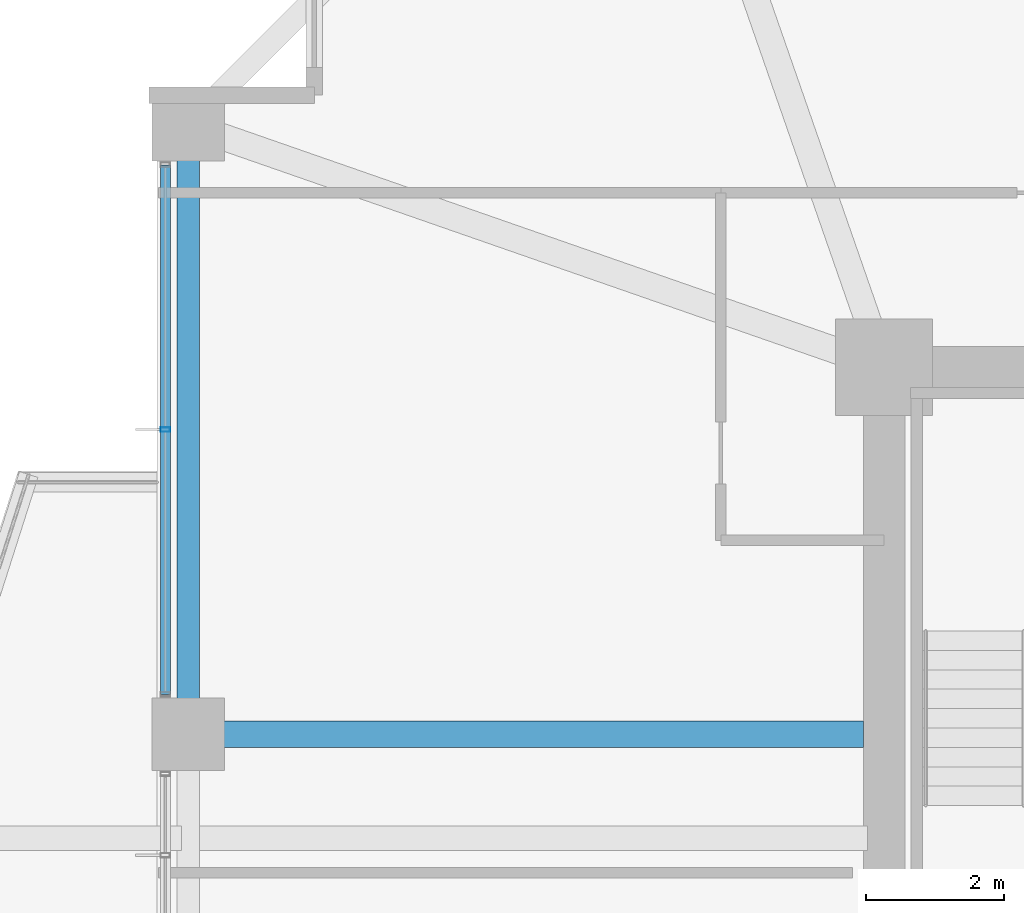
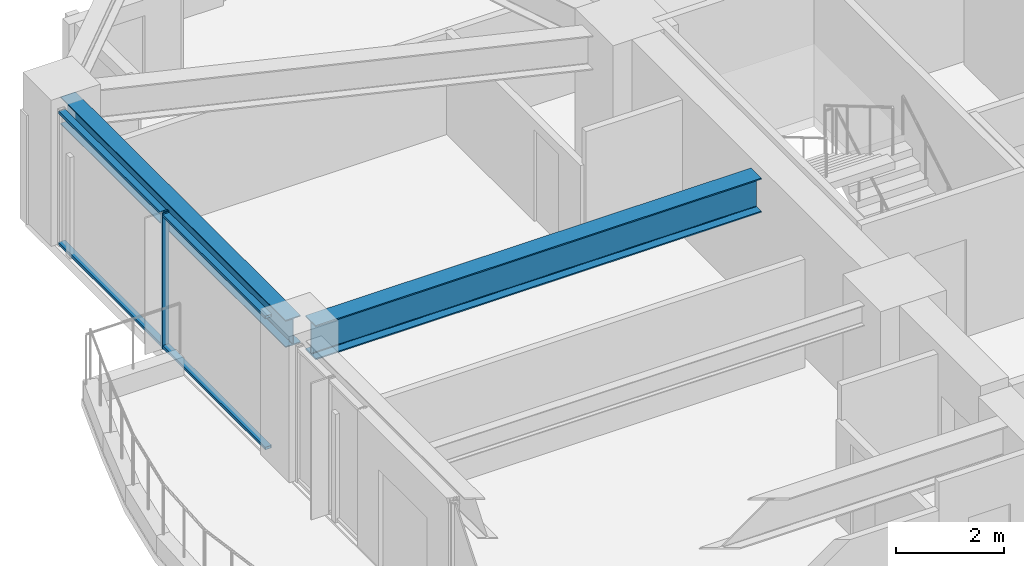
# One storey, part 10 of 36: 3 members, 2 beams, 1 element without a shape of its own.
"""IFC4 building model written with IfcOpenShell, lengths in metres."""

from ifc_helpers import new_model, si_unit, direction, frame, origin, origin_2d, place, context, subcontext, project, spatial, hollow_rectangle, i_section, extrude, material, material_profile, profile_set, type_object, element, aggregate, save


model = new_model("IFC4")

# Units and contexts
model_context = context("Model", 3, precision=1e-05, world=origin(), true_north=direction((0.0, 1.0)))
body_context = subcontext(model_context, "Body", "Model", "MODEL_VIEW")
ifc_project = project(units=[si_unit("LENGTHUNIT", "METRE"), si_unit("AREAUNIT", "SQUARE_METRE"), si_unit("VOLUMEUNIT", "CUBIC_METRE"), si_unit("PLANEANGLEUNIT", "RADIAN"), si_unit("MASSUNIT", "GRAM", prefix="KILO")], contexts=[model_context])

# Site, building, storey
site_placement = place(None, origin())
site = spatial("IfcSite", under=ifc_project, at=site_placement, CompositionType="ELEMENT")
building_placement = place(site_placement, origin())
building = spatial("IfcBuilding", under=site, at=building_placement, Name="Kolvaren Belvedere", CompositionType="ELEMENT")
storey_placement = place(building_placement, frame((0.0, 0.0, 95.300048828125)))
storey = spatial("IfcBuildingStorey", under=building, at=storey_placement, Name="L27", CompositionType="ELEMENT", Elevation=95.300048828125)

# Beams
ifc_material_1 = material(Name="Structural steel ASTM A992 Grade 50", Category="steel")
ifc_material_profile_1 = material_profile(ifc_material_1, i_section(OverallWidth=0.381103515625, OverallDepth=0.77294921875, WebThickness=0.0166015625, FlangeThickness=0.027099609375, FilletRadius=0.02392578125, at=origin_2d()), Name="W30X173")
ifc_profile_set_1 = profile_set([ifc_material_profile_1], Name="Structural steel ASTM A992 Grade 50")
beam_type_1 = type_object("IfcBeamType", Name="BM-GIRD-W30X173", PredefinedType="BEAM", material=ifc_profile_set_1)
beam_1_placement = place(storey_placement, frame((-10.199951171875, 4.60009765625, 2.693359375), z_axis=(-1.0, 0.0, 0.0), x_axis=(0.0, -1.0, 0.0)))
element("IfcBeam", 1, at=beam_1_placement, inside=storey, type_object=beam_type_1, Name="L27 West Radial Girder P", PredefinedType="BEAM", context=body_context, shape_type="SweptSolid", body=[
    extrude(i_section(OverallWidth=0.381103515625, OverallDepth=0.77294921875, WebThickness=0.0166015625, FlangeThickness=0.027099609375, FilletRadius=0.02392578125, at=origin_2d()), origin(), (0.0, 0.0, 1.0), 9.513916015625),
])
ifc_material_2 = material(Name="Structural steel ASTM A992 Grade 50", Category="steel")
ifc_material_profile_2 = material_profile(ifc_material_2, i_section(OverallWidth=0.324951171875, OverallDepth=0.615966796875, WebThickness=0.013916015625, FlangeThickness=0.021484375, FilletRadius=0.02001953125, at=origin_2d()), Name="W24X117")
ifc_profile_set_2 = profile_set([ifc_material_profile_2], Name="Structural steel ASTM A992 Grade 50")
beam_type_2 = type_object("IfcBeamType", Name="BM-SPAN-W24X117", PredefinedType="SPANDREL", material=ifc_profile_set_2)
beam_2_placement = place(storey_placement, frame((-19.949951171875, 13.163818359375, 2.77197265625), z_axis=(0.0, -1.0, 0.0), x_axis=(1.0, 0.0, 0.0)))
element("IfcBeam", 2, at=beam_2_placement, inside=storey, type_object=beam_type_2, Name="L27 Perimeter Spandrel W4-W3", PredefinedType="SPANDREL", context=body_context, shape_type="SweptSolid", body=[
    extrude(i_section(OverallWidth=0.324951171875, OverallDepth=0.615966796875, WebThickness=0.013916015625, FlangeThickness=0.021484375, FilletRadius=0.02001953125, at=origin_2d()), origin(), (0.0, 0.0, 1.0), 8.32763671875),
])

# Curtain wall, members
ifc_material_3 = material(Name="Anodised pale-metal aluminium AA 6063-T6", Category="aluminium")
curtain_wall_type = type_object("IfcCurtainWallType", Name="CW-Z2-MID", PredefinedType="NOTDEFINED", material=ifc_material_3)
curtain_wall_placement = place(storey_placement, origin())
curtain_wall = element("IfcCurtainWall", 3, at=curtain_wall_placement, inside=storey, type_object=curtain_wall_type, Name="L27 Unitised Curtain Wall FCW-L27-W2-B2", PredefinedType="NOTDEFINED")
ifc_material_4 = material(Name="Anodised pale-metal aluminium AA 6063-T6", Category="aluminium")
ifc_material_profile_3 = material_profile(ifc_material_4, hollow_rectangle(XDim=0.06494140625, YDim=0.139892578125, WallThickness=0.00390625, at=origin_2d()), Name="ALU-MUL-140X65")
ifc_profile_set_3 = profile_set([ifc_material_profile_3], Name="Anodised pale-metal aluminium AA 6063-T6")
member_type_1 = type_object("IfcMemberType", Name="CW-MUL-140", PredefinedType="MULLION", material=ifc_profile_set_3)
member_1_placement = place(storey_placement, frame((-20.280029296875, 9.0, 0.0), z_axis=(0.0, 0.0, 1.0), x_axis=(0.0, 1.0, 0.0)))
member_1 = element("IfcMember", 4, at=member_1_placement, type_object=member_type_1, Name="FCW-L27-W2-B2 Unitised Mullion 2", PredefinedType="MULLION", context=body_context, shape_type="SweptSolid", body=[
    extrude(hollow_rectangle(XDim=0.06494140625, YDim=0.139892578125, WallThickness=0.00390625, at=origin_2d()), origin(), (0.0, 0.0, 1.0), 3.079833984375),
])
ifc_material_5 = material(Name="Anodised pale-metal aluminium AA 6063-T6", Category="aluminium")
ifc_material_profile_4 = material_profile(ifc_material_5, hollow_rectangle(XDim=0.06005859375, YDim=0.139892578125, WallThickness=0.00390625, at=origin_2d()), Name="ALU-TRN-140X60")
ifc_profile_set_4 = profile_set([ifc_material_profile_4], Name="Anodised pale-metal aluminium AA 6063-T6")
member_type_2 = type_object("IfcMemberType", Name="CW-TRN-140", PredefinedType="USERDEFINED", material=ifc_profile_set_4)
member_2_placement = place(storey_placement, frame((-20.280029296875, 5.177490234375, 0.06005859375), z_axis=(0.0, 1.0, 0.0), x_axis=(0.0, 0.0, 1.0)))
member_2 = element("IfcMember", 5, at=member_2_placement, type_object=member_type_2, Name="FCW-L27-W2-B2 Sill Transom", ObjectType="TRANSOM", PredefinedType="USERDEFINED", context=body_context, shape_type="SweptSolid", body=[
    extrude(hollow_rectangle(XDim=0.06005859375, YDim=0.139892578125, WallThickness=0.00390625, at=origin_2d()), origin(), (0.0, 0.0, 1.0), 7.64501953125),
])
member_3_placement = place(storey_placement, frame((-20.280029296875, 5.177490234375, 3.02001953125), z_axis=(0.0, 1.0, 0.0), x_axis=(0.0, 0.0, 1.0)))
member_3 = element("IfcMember", 6, at=member_3_placement, type_object=member_type_2, Name="FCW-L27-W2-B2 Head Transom", ObjectType="TRANSOM", PredefinedType="USERDEFINED", context=body_context, shape_type="SweptSolid", body=[
    extrude(hollow_rectangle(XDim=0.06005859375, YDim=0.139892578125, WallThickness=0.00390625, at=origin_2d()), origin(), (0.0, 0.0, 1.0), 7.64501953125),
])
aggregate(curtain_wall, [member_1, member_2, member_3])

save(model, "model.ifc")
